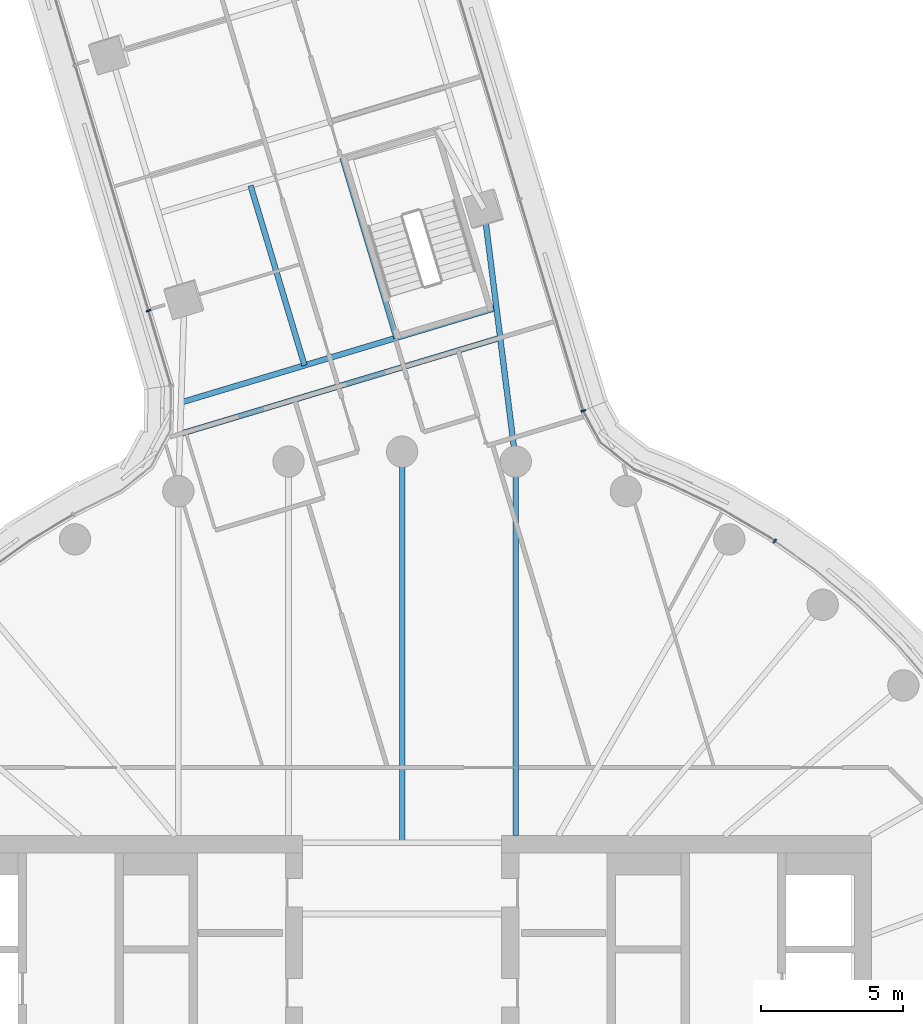
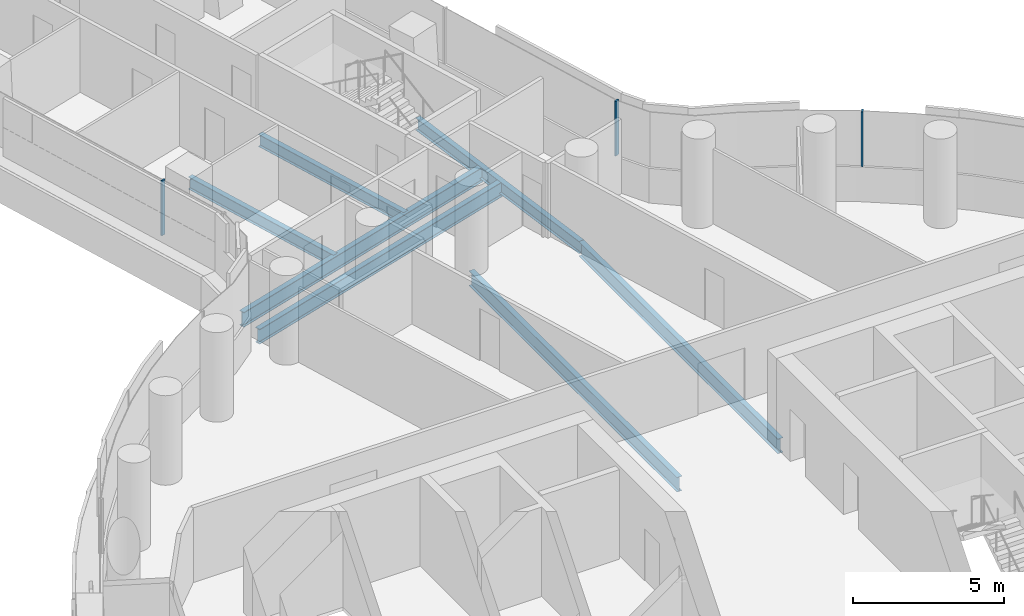
# One storey, part 14 of 32: 7 beams, 3 members, 3 elements without a shape of their own.
"""IFC4 building model written with IfcOpenShell, lengths in metres."""

import ifcopenshell
import ifcopenshell.guid

model = None  # the IFC model being written
_history = None  # IfcOwnerHistory: only IFC2X3 demands one
_inside = {}  # id of a spatial element -> (the spatial element, [elements in it])
_under = {}  # id of a project, library or spatial element -> (it, [spatial elements below it])
_declared = {}  # id of a project -> (the project, [libraries it declares])
_typed = {}  # id of a type object -> (the type object, [elements of that type])
_made_of = {}  # id of a material, layer set ... -> (it, [elements and type objects made of it])


def new_model(schema):
    """Start an empty IFC model of exactly this schema.

    Asked for "IFC4X3", IfcOpenShell would pick the latest addendum, in which some entities
    have other attributes; the version numbers below select the first issue.
    IFC2X3 requires an IfcOwnerHistory on every rooted entity: one is made here for all.
    """
    global model, _history
    if schema == "IFC4X3":
        model = ifcopenshell.file(schema_version=(4, 3, 0, 0))
    else:
        model = ifcopenshell.file(schema=schema)
    _inside.clear()
    _under.clear()
    _declared.clear()
    _typed.clear()
    _made_of.clear()
    _history = None
    if model.schema == "IFC2X3":
        org = make("IfcOrganization", Name="unknown")
        user = make(
            "IfcPersonAndOrganization",
            ThePerson=make("IfcPerson", FamilyName="unknown"),
            TheOrganization=org,
        )
        app = make(
            "IfcApplication",
            ApplicationDeveloper=org,
            Version="unknown",
            ApplicationFullName="unknown",
            ApplicationIdentifier="unknown",
        )
        _history = make(
            "IfcOwnerHistory",
            OwningUser=user,
            OwningApplication=app,
            ChangeAction="ADDED",
            CreationDate=0,
        )
    return model


def make(cls, **values):
    """One entity of the class cls with the attributes given. An attribute that is None is left unset."""
    return model.create_entity(
        cls, **{name: value for name, value in values.items() if value is not None}
    )


def rooted(cls, **values):
    """An entity with a GlobalId (a new one), such as an element, a storey or a relation."""
    return make(cls, GlobalId=ifcopenshell.guid.new(), OwnerHistory=_history, **values)


def si_unit(unit_type, name, prefix=None):
    """IfcSIUnit, for example si_unit("LENGTHUNIT", "METRE", prefix="MILLI")."""
    return make("IfcSIUnit", UnitType=unit_type, Prefix=prefix, Name=name)


def assignment(units):
    """IfcUnitAssignment: the units of a project."""
    return None if units is None else make("IfcUnitAssignment", Units=units)


def point(xyz):
    """IfcCartesianPoint."""
    return None if xyz is None else make("IfcCartesianPoint", Coordinates=xyz)


def direction(xyz):
    """IfcDirection."""
    return None if xyz is None else make("IfcDirection", DirectionRatios=xyz)


def frame(location, z_axis=None, x_axis=None):
    """IfcAxis2Placement3D, a coordinate frame: its origin and axes. An axis left out is left unset."""
    return make(
        "IfcAxis2Placement3D",
        Location=point(location),
        Axis=direction(z_axis),
        RefDirection=direction(x_axis),
    )


def frame_2d(location, x_axis=None):
    """IfcAxis2Placement2D, a coordinate frame in the plane: its origin and x axis."""
    return make(
        "IfcAxis2Placement2D", Location=point(location), RefDirection=direction(x_axis)
    )


def origin():
    """The frame at (0, 0, 0) with its axes left unset."""
    return frame((0.0, 0.0, 0.0))


def origin_2d():
    """The frame at (0, 0) in the plane with its x axis left unset."""
    return frame_2d((0.0, 0.0))


def place(relative_to, where):
    """IfcLocalPlacement: puts the frame where relative to a parent placement (None: the world)."""
    return make(
        "IfcLocalPlacement", PlacementRelTo=relative_to, RelativePlacement=where
    )


def context(
    kind, dimensions, precision=None, world=None, true_north=None, identifier=None
):
    """IfcGeometricRepresentationContext, for example the 3D "Model" context."""
    return make(
        "IfcGeometricRepresentationContext",
        ContextIdentifier=identifier,
        ContextType=kind,
        CoordinateSpaceDimension=dimensions,
        Precision=precision,
        WorldCoordinateSystem=world,
        TrueNorth=true_north,
    )


def subcontext(parent, identifier, kind, view, scale=None):
    """IfcGeometricRepresentationSubContext, for example "Body" below "Model"."""
    return make(
        "IfcGeometricRepresentationSubContext",
        ContextIdentifier=identifier,
        ContextType=kind,
        ParentContext=parent,
        TargetScale=scale,
        TargetView=view,
    )


def project(units=None, contexts=None):
    """IfcProject with its units and contexts."""
    return rooted(
        "IfcProject",
        Name="project",
        RepresentationContexts=contexts,
        UnitsInContext=assignment(units),
    )


def spatial(cls, under=None, at=None, **own):
    """A site, building, storey or space (cls), placed at a placement, below another one or the project."""
    s = rooted(cls, ObjectPlacement=at, **own)
    if under is not None:
        _under.setdefault(under.id(), (under, []))[1].append(s)
    return s


def profile(cls, at=None, kind="AREA", **sizes):
    """A parametric profile (cls). Its sizes go by their IFC names, for example OverallWidth=200.0."""
    return make(cls, ProfileType=kind, Position=at, **sizes)


def rectangle(**sizes):
    """IfcRectangleProfileDef."""
    return profile("IfcRectangleProfileDef", **sizes)


def i_section(**sizes):
    """IfcIShapeProfileDef."""
    return profile("IfcIShapeProfileDef", **sizes)


def extrude(swept, where, along, depth):
    """IfcExtrudedAreaSolid: the profile swept, set in the frame where, extruded along a direction by depth."""
    return make(
        "IfcExtrudedAreaSolid",
        SweptArea=swept,
        Position=where,
        ExtrudedDirection=direction(along),
        Depth=depth,
    )


def shape(context_of_items, identifier, shape_type, items):
    """IfcShapeRepresentation: the items that make up one representation, for example the "Body"."""
    return make(
        "IfcShapeRepresentation",
        ContextOfItems=context_of_items,
        RepresentationIdentifier=identifier,
        RepresentationType=shape_type,
        Items=items,
    )


def material(Name=None, Category=None):
    """IfcMaterial."""
    return make("IfcMaterial", Name=Name, Category=Category)


def layer(
    of_material, thickness, ventilated=None, Name=None, Category=None, Priority=None
):
    """IfcMaterialLayer: one layer of a wall or slab, of a material (None: an air gap)."""
    return make(
        "IfcMaterialLayer",
        Material=of_material,
        LayerThickness=thickness,
        IsVentilated=ventilated,
        Name=Name,
        Category=Category,
        Priority=Priority,
    )


def layer_set(layers, Name=None):
    """IfcMaterialLayerSet."""
    return make("IfcMaterialLayerSet", MaterialLayers=layers, LayerSetName=Name)


def material_profile(
    of_material, cross_section, Name=None, Category=None, Priority=None
):
    """IfcMaterialProfile: a cross section and its material."""
    return make(
        "IfcMaterialProfile",
        Name=Name,
        Material=of_material,
        Profile=cross_section,
        Priority=Priority,
        Category=Category,
    )


def profile_set(profiles, Name=None, composite=None):
    """IfcMaterialProfileSet."""
    return make(
        "IfcMaterialProfileSet",
        Name=Name,
        MaterialProfiles=profiles,
        CompositeProfile=composite,
    )


def made_of(thing, what):
    """Note that an element or type object is made of a material, layer set ...; save() writes the relation."""
    if what is not None:
        _made_of.setdefault(what.id(), (what, []))[1].append(thing)
    return thing


def type_object(cls, material=None, **own):
    """A type object (cls), such as IfcWallType, which elements share."""
    return made_of(rooted(cls, **own), material)


def element(
    cls,
    number,
    at=None,
    inside=None,
    cuts=None,
    type_object=None,
    material=None,
    context=None,
    identifier="Body",
    shape_type=None,
    held_by="IfcProductDefinitionShape",
    body=None,
    shapes=None,
    **own,
):
    """One element of the class cls, such as IfcWall. Its Tag is "e" and its number.

    at: its placement. inside: the storey or other place that contains it. cuts: it is an
    opening in that element (IfcRelVoidsElement). A single representation is given by context,
    identifier, shape_type and body (its items); several are given by shapes. held_by: the class
    of the entity that holds the representations. save() writes the other relations.
    """
    e = rooted(cls, Tag="e%d" % number, ObjectPlacement=at, **own)
    if body is not None:
        shapes = [shape(context, identifier, shape_type, body)]
    if shapes is not None:
        e.Representation = make(held_by, Representations=shapes)
    if inside is not None:
        _inside.setdefault(inside.id(), (inside, []))[1].append(e)
    if cuts is not None:
        rooted(
            "IfcRelVoidsElement", RelatingBuildingElement=cuts, RelatedOpeningElement=e
        )
    if type_object is not None:
        _typed.setdefault(type_object.id(), (type_object, []))[1].append(e)
    return made_of(e, material)


def aggregate(whole, parts):
    """IfcRelAggregates: a whole, such as a stair, and the parts it consists of."""
    return rooted("IfcRelAggregates", RelatingObject=whole, RelatedObjects=parts)


def save(model, path):
    """Write the relations noted so far, then the file.

    IfcRelAggregates (storeys below a building ...), IfcRelContainedInSpatialStructure (elements
    in a storey), IfcRelDefinesByType, IfcRelAssociatesMaterial and IfcRelDeclares: one each for
    every whole, place, type object, material and project.
    """
    for whole, parts in _under.values():
        aggregate(whole, parts)
    for where, things in _inside.values():
        rooted(
            "IfcRelContainedInSpatialStructure",
            RelatedElements=things,
            RelatingStructure=where,
        )
    for kind, things in _typed.values():
        rooted("IfcRelDefinesByType", RelatedObjects=things, RelatingType=kind)
    for what, things in _made_of.values():
        rooted("IfcRelAssociatesMaterial", RelatedObjects=things, RelatingMaterial=what)
    for by, libraries in _declared.values():
        rooted("IfcRelDeclares", RelatingContext=by, RelatedDefinitions=libraries)
    model.write(path)


model = new_model("IFC4")

# Units and contexts
model_context = context("Model", 3, precision=1e-05, world=origin(), true_north=direction((0.0, 1.0)))
body_context = subcontext(model_context, "Body", "Model", "MODEL_VIEW")
ifc_project = project(units=[si_unit("LENGTHUNIT", "METRE"), si_unit("AREAUNIT", "SQUARE_METRE"), si_unit("VOLUMEUNIT", "CUBIC_METRE"), si_unit("PLANEANGLEUNIT", "RADIAN"), si_unit("MASSUNIT", "GRAM", prefix="KILO")], contexts=[model_context])

# Site, building, storey
site_placement = place(None, origin())
site = spatial("IfcSite", under=ifc_project, at=site_placement, CompositionType="ELEMENT")
building_placement = place(site_placement, origin())
building = spatial("IfcBuilding", under=site, at=building_placement, Name="Tamarind Cross Interchange Tower", CompositionType="ELEMENT")
storey_placement = place(building_placement, frame((0.0, 0.0, 94.75)))
storey = spatial("IfcBuildingStorey", under=building, at=storey_placement, Name="L22", CompositionType="ELEMENT", Elevation=94.75)

# Beams
ifc_material_1 = material(Name="Steel Q355B", Category="steel")
ifc_material_profile_1 = material_profile(ifc_material_1, i_section(OverallWidth=0.198974609375, OverallDepth=0.49609375, WebThickness=0.009033203125, FlangeThickness=0.013916015625, FilletRadius=0.012939453125, at=origin_2d()), Name="HN 496x199x9x14")
ifc_profile_set_1 = profile_set([ifc_material_profile_1], Name="Steel Q355B")
beam_type_1 = type_object("IfcBeamType", Name="Composite beam HN 496x199x9x14 Q355B", PredefinedType="BEAM", material=ifc_profile_set_1)
beam_1_placement = place(storey_placement, frame((2.880126953125, 31.53125, -0.387939453125), z_axis=(0.124440952374, -0.992227015039, 0.0), x_axis=(0.992227015039, 0.124440952374, 0.0)))
element("IfcBeam", 1, at=beam_1_placement, inside=storey, type_object=beam_type_1, Name="Beam N-linkem", PredefinedType="BEAM", context=body_context, shape_type="SweptSolid", body=[
    extrude(i_section(OverallWidth=0.198974609375, OverallDepth=0.49609375, WebThickness=0.009033203125, FlangeThickness=0.013916015625, FilletRadius=0.012939453125, at=origin_2d()), origin(), (0.0, 0.0, 1.0), 8.9501953125),
])
beam_2_placement = place(storey_placement, frame((-0.197998046875, 27.004638671875, -0.387939453125), z_axis=(-0.287643122316, 0.957737664595, 0.0), x_axis=(-0.957737664595, -0.287643122316, 0.0)))
element("IfcBeam", 2, at=beam_2_placement, inside=storey, type_object=beam_type_1, Name="Beam N-tr1", PredefinedType="BEAM", context=body_context, shape_type="SweptSolid", body=[
    extrude(i_section(OverallWidth=0.198974609375, OverallDepth=0.49609375, WebThickness=0.009033203125, FlangeThickness=0.013916015625, FilletRadius=0.012939453125, at=origin_2d()), origin(), (0.0, 0.0, 1.0), 6.599853515625),
])
beam_3_placement = place(storey_placement, frame((-3.43017578125, 26.03369140625, -0.387939453125), z_axis=(-0.287632932095, 0.957740725027, 0.0), x_axis=(-0.957740725027, -0.287632932095, 0.0)))
element("IfcBeam", 3, at=beam_3_placement, inside=storey, type_object=beam_type_1, Name="Beam N-stripp", PredefinedType="BEAM", context=body_context, shape_type="SweptSolid", body=[
    extrude(i_section(OverallWidth=0.198974609375, OverallDepth=0.49609375, WebThickness=0.009033203125, FlangeThickness=0.013916015625, FilletRadius=0.012939453125, at=origin_2d()), origin(), (0.0, 0.0, 1.0), 6.60009765625),
])
ifc_material_profile_2 = material_profile(ifc_material_1, i_section(OverallWidth=0.198974609375, OverallDepth=0.595947265625, WebThickness=0.010009765625, FlangeThickness=0.014892578125, FilletRadius=0.012939453125, at=origin_2d()), Name="HN 596x199x10x15")
ifc_profile_set_2 = profile_set([ifc_material_profile_2], Name="Steel Q355B")
beam_type_2 = type_object("IfcBeamType", Name="Composite beam HN 596x199x10x15 Q355B", PredefinedType="BEAM", material=ifc_profile_set_2)
beam_4_placement = place(storey_placement, frame((3.993896484375, 22.650634765625, -0.43798828125), z_axis=(0.0, -1.0, 0.0), x_axis=(1.0, 0.0, 0.0)))
element("IfcBeam", 4, at=beam_4_placement, inside=storey, type_object=beam_type_2, Name="Beam HH08", PredefinedType="BEAM", context=body_context, shape_type="SweptSolid", body=[
    extrude(i_section(OverallWidth=0.198974609375, OverallDepth=0.595947265625, WebThickness=0.010009765625, FlangeThickness=0.014892578125, FilletRadius=0.012939453125, at=origin_2d()), origin(), (0.0, 0.0, 1.0), 13.150634765625),
])
beam_5_placement = place(storey_placement, frame((0.0, 23.0, -0.43798828125), z_axis=(0.0, -1.0, 0.0), x_axis=(1.0, 0.0, 0.0)))
element("IfcBeam", 5, at=beam_5_placement, inside=storey, type_object=beam_type_2, Name="Beam HH09", PredefinedType="BEAM", context=body_context, shape_type="SweptSolid", body=[
    extrude(i_section(OverallWidth=0.198974609375, OverallDepth=0.595947265625, WebThickness=0.010009765625, FlangeThickness=0.014892578125, FilletRadius=0.012939453125, at=origin_2d()), origin(), (0.0, 0.0, 1.0), 13.75),
])
ifc_material_profile_3 = material_profile(ifc_material_1, i_section(OverallWidth=0.199951171875, OverallDepth=0.60009765625, WebThickness=0.010986328125, FlangeThickness=0.01708984375, FilletRadius=0.012939453125, at=origin_2d()), Name="HN 600x200x11x17")
ifc_profile_set_3 = profile_set([ifc_material_profile_3], Name="Steel Q355B")
beam_type_3 = type_object("IfcBeamType", Name="Composite beam HN 600x200x11x17 Q355B", PredefinedType="BEAM", material=ifc_profile_set_3)
beam_6_placement = place(storey_placement, frame((3.3154296875, 28.059814453125, -0.43994140625), z_axis=(-0.95773508331, -0.287651716835, 0.0), x_axis=(0.287651716835, -0.95773508331, 0.0)))
element("IfcBeam", 6, at=beam_6_placement, inside=storey, type_object=beam_type_3, Name="Beam N-x268", PredefinedType="BEAM", context=body_context, shape_type="SweptSolid", body=[
    extrude(i_section(OverallWidth=0.199951171875, OverallDepth=0.60009765625, WebThickness=0.010986328125, FlangeThickness=0.01708984375, FilletRadius=0.012939453125, at=origin_2d()), origin(), (0.0, 0.0, 1.0), 11.573486328125),
])
beam_7_placement = place(storey_placement, frame((3.447998046875, 27.003173828125, -0.43994140625), z_axis=(-0.957739301981, -0.287637670414, 0.0), x_axis=(0.287637670414, -0.957739301981, 0.0)))
element("IfcBeam", 7, at=beam_7_placement, inside=storey, type_object=beam_type_3, Name="Beam N-x258", PredefinedType="BEAM", context=body_context, shape_type="SweptSolid", body=[
    extrude(i_section(OverallWidth=0.199951171875, OverallDepth=0.60009765625, WebThickness=0.010986328125, FlangeThickness=0.01708984375, FilletRadius=0.012939453125, at=origin_2d()), origin(), (0.0, 0.0, 1.0), 11.748046875),
])

# Curtain wall, member
ifc_material_2 = material(Name="Aluminium 6063-T6", Category="aluminium")
ifc_layer = layer(ifc_material_2, 0.159912109375)
ifc_layer_set = layer_set([ifc_layer], Name="Aluminium 6063-T6")
curtain_wall_type = type_object("IfcCurtainWallType", Name="Office curtain wall, 9.0 m bays", PredefinedType="NOTDEFINED", material=ifc_layer_set)
curtain_wall_1_placement = place(storey_placement, origin())
curtain_wall_1 = element("IfcCurtainWall", 8, at=curtain_wall_1_placement, inside=storey, type_object=curtain_wall_type, Name="CWS-L22-01", PredefinedType="NOTDEFINED")
ifc_material_profile_4 = material_profile(ifc_material_2, rectangle(XDim=0.06005859375, YDim=0.159912109375, at=origin_2d()), Name="Mullion CW1")
ifc_profile_set_4 = profile_set([ifc_material_profile_4], Name="Aluminium 6063-T6")
member_type = type_object("IfcMemberType", Name="Mullion CW1", PredefinedType="MULLION", material=ifc_profile_set_4)
member_1_placement = place(storey_placement, frame((-8.913818359375, 27.957275390625, 1.39990234375), z_axis=(0.0, 0.0, 1.0), x_axis=(0.286304452373, -0.958138695884, 0.0)))
member_1 = element("IfcMember", 9, at=member_1_placement, type_object=member_type, Name="CWM-L22-01-02", PredefinedType="MULLION", context=body_context, shape_type="SweptSolid", body=[
    extrude(rectangle(XDim=0.06005859375, YDim=0.159912109375, at=origin_2d()), origin(), (0.0, 0.0, 1.0), 2.210205078125),
])
aggregate(curtain_wall_1, [member_1])

curtain_wall_2_placement = place(storey_placement, origin())
curtain_wall_2 = element("IfcCurtainWall", 10, at=curtain_wall_2_placement, inside=storey, type_object=curtain_wall_type, Name="CWS-L22-14", PredefinedType="NOTDEFINED")
member_2_placement = place(storey_placement, frame((13.09716796875, 19.858154296875, 1.39990234375), z_axis=(0.0, 0.0, 1.0), x_axis=(-0.816341886298, 0.577568978284, 0.0)))
member_2 = element("IfcMember", 11, at=member_2_placement, type_object=member_type, Name="CWM-L22-14-02", PredefinedType="MULLION", context=body_context, shape_type="SweptSolid", body=[
    extrude(rectangle(XDim=0.06005859375, YDim=0.159912109375, at=origin_2d()), origin(), (0.0, 0.0, 1.0), 2.210205078125),
])
aggregate(curtain_wall_2, [member_2])

curtain_wall_3_placement = place(storey_placement, origin())
curtain_wall_3 = element("IfcCurtainWall", 12, at=curtain_wall_3_placement, inside=storey, type_object=curtain_wall_type, Name="CWS-L22-15", PredefinedType="NOTDEFINED")
member_3_placement = place(storey_placement, frame((6.367919921875, 24.43798828125, 1.39990234375), z_axis=(0.0, 0.0, 1.0), x_axis=(-0.384607398011, 0.923080250788, 0.0)))
member_3 = element("IfcMember", 13, at=member_3_placement, type_object=member_type, Name="CWM-L22-15-00", PredefinedType="MULLION", context=body_context, shape_type="SweptSolid", body=[
    extrude(rectangle(XDim=0.06005859375, YDim=0.159912109375, at=origin_2d()), origin(), (0.0, 0.0, 1.0), 2.210205078125),
])
aggregate(curtain_wall_3, [member_3])

save(model, "model.ifc")
